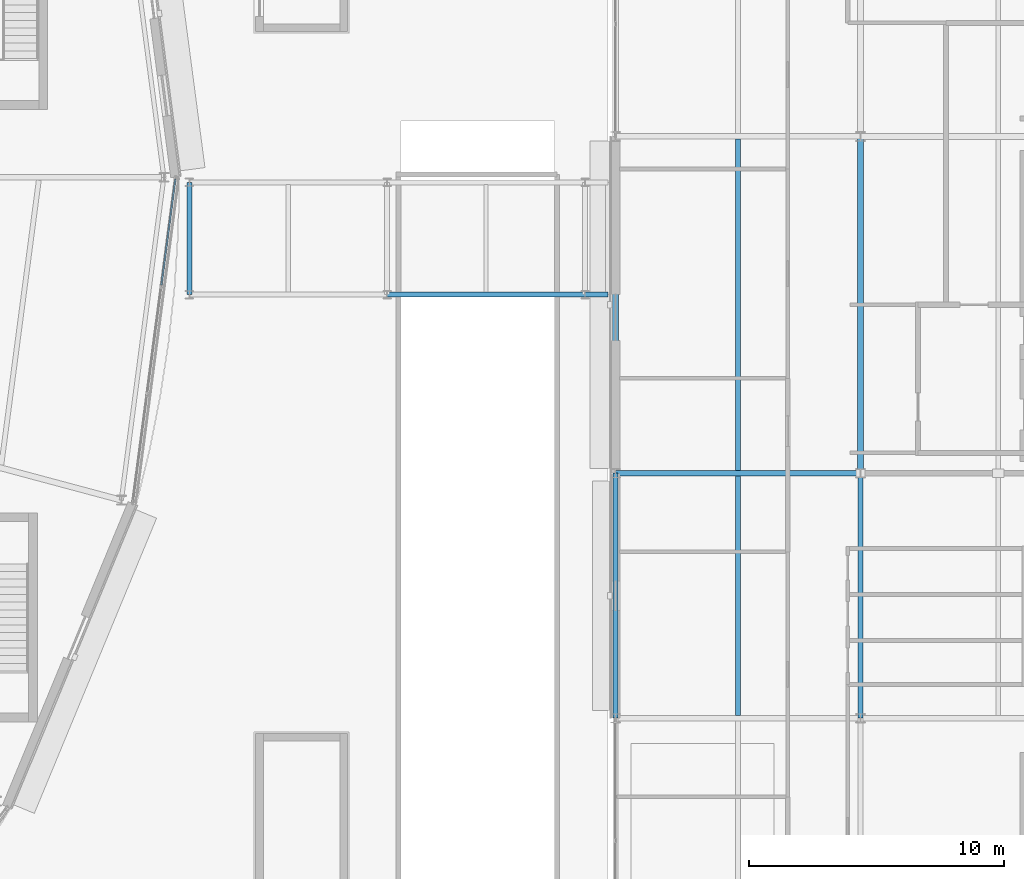
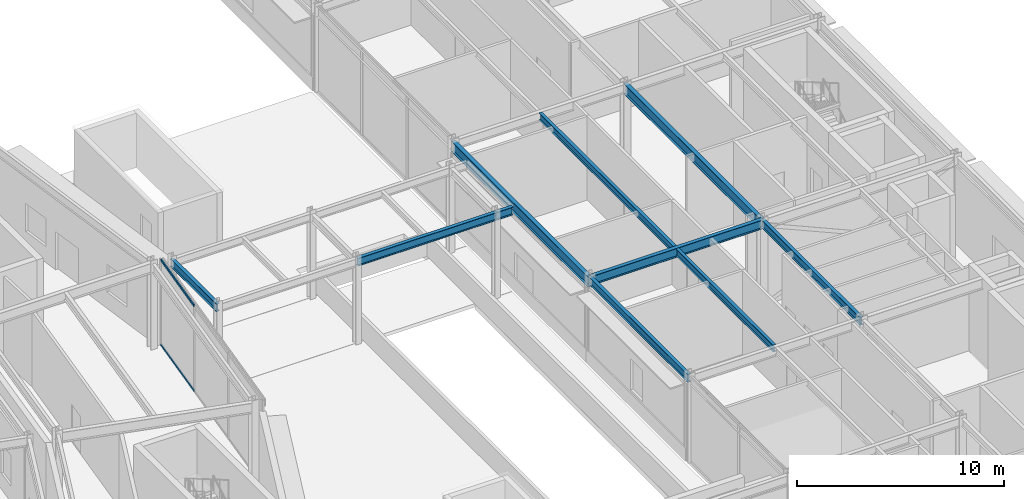
# One storey, part 98 of 168: 10 beams, 2 members, 1 element without a shape of its own.
"""IFC4 building model written with IfcOpenShell, lengths in metres."""

from ifc_helpers import new_model, si_unit, direction, frame, origin, origin_2d, place, context, subcontext, project, spatial, hollow_rectangle, i_section, extrude, material, material_profile, profile_set, type_object, element, aggregate, save


model = new_model("IFC4")

# Units and contexts
model_context = context("Model", 3, precision=1e-05, world=origin(), true_north=direction((0.0, 1.0)))
body_context = subcontext(model_context, "Body", "Model", "MODEL_VIEW")
ifc_project = project(units=[si_unit("LENGTHUNIT", "METRE"), si_unit("AREAUNIT", "SQUARE_METRE"), si_unit("VOLUMEUNIT", "CUBIC_METRE"), si_unit("PLANEANGLEUNIT", "RADIAN"), si_unit("MASSUNIT", "GRAM", prefix="KILO")], contexts=[model_context])

# Site, building, storey
site_placement = place(None, origin())
site = spatial("IfcSite", under=ifc_project, at=site_placement, CompositionType="ELEMENT")
building_placement = place(site_placement, origin())
building = spatial("IfcBuilding", under=site, at=building_placement, Name="Almandine Court Research Institute", CompositionType="ELEMENT")
storey_placement = place(building_placement, origin())
storey = spatial("IfcBuildingStorey", under=building, at=storey_placement, Name="L00", CompositionType="ELEMENT", Elevation=0.0)

# Beams
ifc_material_1 = material(Name="Steel ASTM A992 Grade 50", Category="steel")
ifc_material_profile_1 = material_profile(ifc_material_1, i_section(OverallWidth=0.18994140625, OverallDepth=0.45703125, WebThickness=0.009033203125, FlangeThickness=0.014892578125, at=origin_2d()), Name="W460x74")
ifc_profile_set_1 = profile_set([ifc_material_profile_1], Name="Steel ASTM A992 Grade 50")
beam_type_1 = type_object("IfcBeamType", Name="Beam-B-01", PredefinedType="BEAM", material=ifc_profile_set_1)
for number, where, z_axis, x_axis, name in (
    (1, (153.60009765625, 34.800048828125, 4.841064453125), (0.0, 1.0, 0.0), (-1.0, 0.0, 0.0), "L00 V4 Primary Y Girder"),
    (2, (163.199951171875, 34.800048828125, 4.841064453125), (0.0, 1.0, 0.0), (-1.0, 0.0, 0.0), "L00 V4 Primary Y Girder"),
):
    element("IfcBeam", number, at=place(storey_placement, frame(where, z_axis=z_axis, x_axis=x_axis)), inside=storey, type_object=beam_type_1, Name=name, PredefinedType="BEAM", context=body_context, shape_type="SweptSolid", body=[
        extrude(i_section(OverallWidth=0.18994140625, OverallDepth=0.45703125, WebThickness=0.009033203125, FlangeThickness=0.014892578125, at=origin_2d()), origin(), (0.0, 0.0, 1.0), 9.599853515625),
    ])
ifc_material_profile_2 = material_profile(ifc_material_1, i_section(OverallWidth=0.178955078125, OverallDepth=0.409912109375, WebThickness=0.009033203125, FlangeThickness=0.013916015625, at=origin_2d()), Name="W410x67")
ifc_profile_set_2 = profile_set([ifc_material_profile_2], Name="Steel ASTM A992 Grade 50")
beam_type_2 = type_object("IfcBeamType", Name="Beam-B-02", PredefinedType="JOIST", material=ifc_profile_set_2)
beam_1_placement = place(storey_placement, frame((158.39990234375, 34.903076171875, 4.864990234375), z_axis=(0.0, 1.0, 0.0), x_axis=(-1.0, 0.0, 0.0)))
element("IfcBeam", 3, at=beam_1_placement, inside=storey, type_object=beam_type_2, Name="L00 V4 Composite Secondary Beam", PredefinedType="JOIST", context=body_context, shape_type="SweptSolid", body=[
    extrude(i_section(OverallWidth=0.178955078125, OverallDepth=0.409912109375, WebThickness=0.009033203125, FlangeThickness=0.013916015625, at=origin_2d()), origin(), (0.0, 0.0, 1.0), 9.39404296875),
])
beam_2_placement = place(storey_placement, frame((158.39990234375, 44.5029296875, 4.864990234375), z_axis=(0.0, 1.0, 0.0), x_axis=(-1.0, 0.0, 0.0)))
element("IfcBeam", 4, at=beam_2_placement, inside=storey, type_object=beam_type_2, Name="L00 V4 Composite Secondary Beam", PredefinedType="JOIST", context=body_context, shape_type="SweptSolid", body=[
    extrude(i_section(OverallWidth=0.178955078125, OverallDepth=0.409912109375, WebThickness=0.009033203125, FlangeThickness=0.013916015625, at=origin_2d()), origin(), (0.0, 0.0, 1.0), 12.994140625),
])
ifc_material_profile_3 = material_profile(ifc_material_1, i_section(OverallWidth=0.22802734375, OverallDepth=0.60791015625, WebThickness=0.010986328125, FlangeThickness=0.01708984375, at=origin_2d()), Name="W610x113")
ifc_profile_set_3 = profile_set([ifc_material_profile_3], Name="Steel ASTM A992 Grade 50")
beam_type_3 = type_object("IfcBeamType", Name="Beam-G-03", PredefinedType="BEAM", material=ifc_profile_set_3)
for number, where, z_axis, x_axis, name in (
    (5, (153.60009765625, 44.39990234375, 4.718994140625), (0.0, 1.0, 0.0), (-1.0, 0.0, 0.0), "L00 V4 Primary Y Girder"),
    (6, (163.199951171875, 44.39990234375, 4.76611328125), (0.0, 1.0, 0.0), (-1.0, 0.0, 0.0), "L00 V4 Primary Y Girder"),
):
    element("IfcBeam", number, at=place(storey_placement, frame(where, z_axis=z_axis, x_axis=x_axis)), inside=storey, type_object=beam_type_3, Name=name, PredefinedType="BEAM", context=body_context, shape_type="SweptSolid", body=[
        extrude(i_section(OverallWidth=0.22802734375, OverallDepth=0.60791015625, WebThickness=0.010986328125, FlangeThickness=0.01708984375, at=origin_2d()), origin(), (0.0, 0.0, 1.0), 13.2001953125),
    ])
ifc_material_profile_4 = material_profile(ifc_material_1, i_section(OverallWidth=0.2109375, OverallDepth=0.5390625, WebThickness=0.011962890625, FlangeThickness=0.01904296875, at=origin_2d()), Name="W530x109")
ifc_profile_set_4 = profile_set([ifc_material_profile_4], Name="Steel ASTM A992 Grade 50")
beam_type_4 = type_object("IfcBeamType", Name="Beam-G-04", PredefinedType="BEAM", material=ifc_profile_set_4)
beam_3_placement = place(storey_placement, frame((153.60009765625, 44.39990234375, 4.801025390625), z_axis=(1.0, 0.0, 0.0), x_axis=(0.0, 1.0, 0.0)))
element("IfcBeam", 7, at=beam_3_placement, inside=storey, type_object=beam_type_4, Name="L00 V4 Primary X Girder", PredefinedType="BEAM", context=body_context, shape_type="SweptSolid", body=[
    extrude(i_section(OverallWidth=0.2109375, OverallDepth=0.5390625, WebThickness=0.011962890625, FlangeThickness=0.01904296875, at=origin_2d()), origin(), (0.0, 0.0, 1.0), 9.599853515625),
])
ifc_material_profile_5 = material_profile(ifc_material_1, i_section(OverallWidth=0.193115234375, OverallDepth=0.466064453125, WebThickness=0.010986328125, FlangeThickness=0.01904296875, at=origin_2d()), Name="W460x97")
ifc_profile_set_5 = profile_set([ifc_material_profile_5], Name="Steel ASTM A992 Grade 50")
beam_type_5 = type_object("IfcBeamType", Name="Beam-G-06-E", PredefinedType="SPANDREL", material=ifc_profile_set_5)
beam_4_placement = place(storey_placement, frame((144.64990234375, 51.39990234375, 4.7900390625), z_axis=(1.0, 0.0, 0.0), x_axis=(0.0, 1.0, 0.0)))
element("IfcBeam", 8, at=beam_4_placement, inside=storey, type_object=beam_type_5, Name="L00 DAL-E Primary X Girder", PredefinedType="SPANDREL", context=body_context, shape_type="SweptSolid", body=[
    extrude(i_section(OverallWidth=0.193115234375, OverallDepth=0.466064453125, WebThickness=0.010986328125, FlangeThickness=0.01904296875, at=origin_2d()), origin(), (0.0, 0.0, 1.0), 7.75),
])
beam_5_placement = place(storey_placement, frame((136.89990234375, 51.39990234375, 4.7900390625), z_axis=(0.0, 1.0, 0.0), x_axis=(-1.0, 0.0, 0.0)))
element("IfcBeam", 9, at=beam_5_placement, inside=storey, type_object=beam_type_5, Name="L00 DAL-E Primary Y Girder", PredefinedType="SPANDREL", context=body_context, shape_type="SweptSolid", body=[
    extrude(i_section(OverallWidth=0.193115234375, OverallDepth=0.466064453125, WebThickness=0.010986328125, FlangeThickness=0.01904296875, at=origin_2d()), origin(), (0.0, 0.0, 1.0), 4.400146484375),
])
beam_6_placement = place(storey_placement, frame((152.39990234375, 51.39990234375, 4.7919921875), z_axis=(1.0, 0.0, 0.0), x_axis=(0.0, 1.0, 0.0)))
element("IfcBeam", 10, at=beam_6_placement, inside=storey, type_object=beam_type_5, Name="L00 DAL-E Longitudinal Bridge Edge Girder Extension 1", PredefinedType="SPANDREL", context=body_context, shape_type="SweptSolid", body=[
    extrude(i_section(OverallWidth=0.193115234375, OverallDepth=0.466064453125, WebThickness=0.010986328125, FlangeThickness=0.01904296875, at=origin_2d()), origin(), (0.0, 0.0, 1.0), 0.900146484375),
])

# Curtain wall, members
ifc_material_2 = material(Name="Unitised Curtain Wall Framing and Solar Glazing", Category="glass")
curtain_wall_type = type_object("IfcCurtainWallType", Name="CW-CWJ-17", PredefinedType="USERDEFINED", material=ifc_material_2)
curtain_wall_placement = place(storey_placement, origin())
curtain_wall = element("IfcCurtainWall", 11, at=curtain_wall_placement, inside=storey, type_object=curtain_wall_type, Name="L00 Stacked-Ring Drum Outer Solar Jali Screen 23", ObjectType="SOLAR JALI SCREEN", PredefinedType="USERDEFINED")
ifc_material_3 = material(Name="Anodised Aluminium AW-6063-T6", Category="aluminium")
ifc_material_profile_6 = material_profile(ifc_material_3, hollow_rectangle(XDim=0.06494140625, YDim=0.1298828125, WallThickness=0.00390625, at=origin_2d()), Name="ALU RHS 65x130x4")
ifc_profile_set_6 = profile_set([ifc_material_profile_6], Name="Anodised Aluminium AW-6063-T6")
member_type = type_object("IfcMemberType", Name="CWTrn-65x130", PredefinedType="NOTDEFINED", material=ifc_profile_set_6)
member_1_placement = place(storey_placement, frame((136.3515625, 55.931640625, 0.032470703125), z_axis=(-0.130535805655, -0.991443595694, 0.0), x_axis=(0.991443595694, -0.130535805655, 0.0)))
member_1 = element("IfcMember", 12, at=member_1_placement, type_object=member_type, Name="CWJ-17 transom 1.1", ObjectType="TRANSOM", PredefinedType="USERDEFINED", context=body_context, shape_type="SweptSolid", body=[
    extrude(hollow_rectangle(XDim=0.06494140625, YDim=0.1298828125, WallThickness=0.00390625, at=origin_2d()), origin(), (0.0, 0.0, 1.0), 4.195068359375),
])
member_2_placement = place(storey_placement, frame((136.3515625, 55.931640625, 5.03759765625), z_axis=(-0.130535805655, -0.991443595694, 0.0), x_axis=(0.991443595694, -0.130535805655, 0.0)))
member_2 = element("IfcMember", 13, at=member_2_placement, type_object=member_type, Name="CWJ-17 transom 1.2", ObjectType="TRANSOM", PredefinedType="USERDEFINED", context=body_context, shape_type="SweptSolid", body=[
    extrude(hollow_rectangle(XDim=0.06494140625, YDim=0.1298828125, WallThickness=0.00390625, at=origin_2d()), origin(), (0.0, 0.0, 1.0), 4.195068359375),
])
aggregate(curtain_wall, [member_1, member_2])

save(model, "model.ifc")
